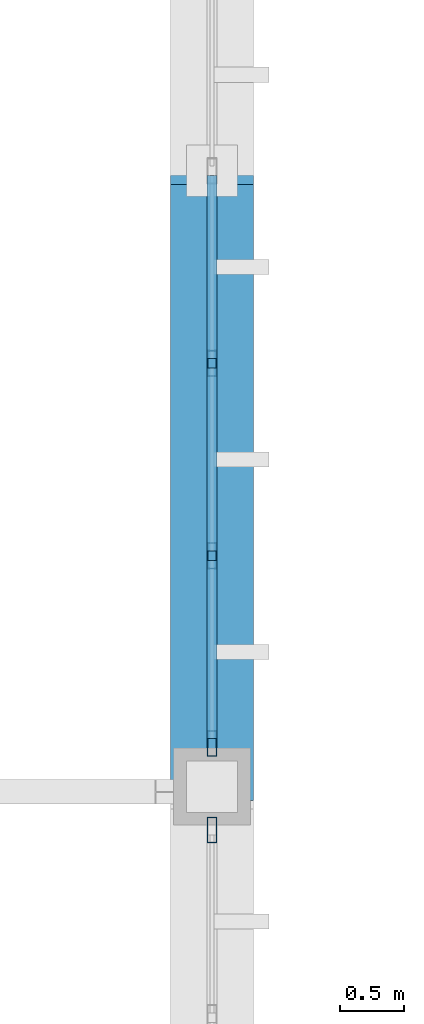
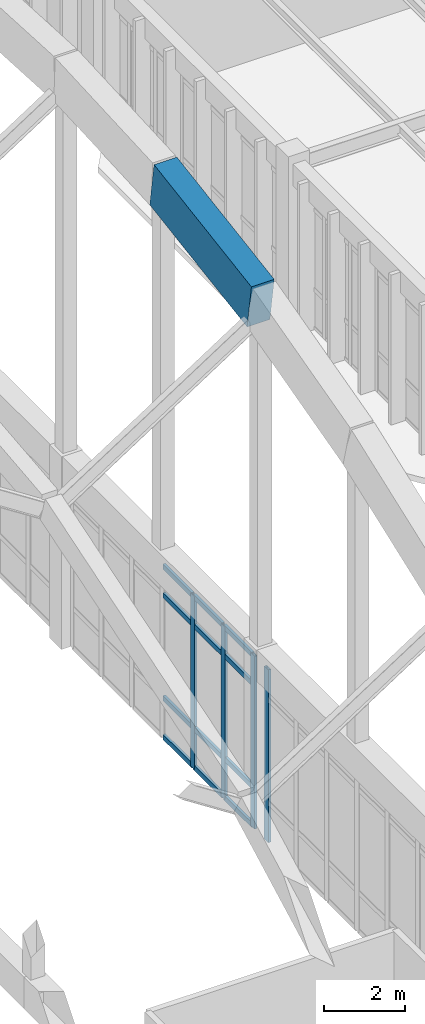
# One storey, part 136 of 236: 17 members, 2 elements without a shape of their own.
"""IFC4 building model written with IfcOpenShell, lengths in metres."""

from ifc_helpers import new_model, si_unit, direction, frame, origin, origin_2d, place, context, subcontext, project, spatial, rectangle, hollow_rectangle, extrude, material, layer, layer_set, material_profile, profile_set, type_object, element, aggregate, save


model = new_model("IFC4")

# Units and contexts
model_context = context("Model", 3, precision=1e-05, world=origin(), true_north=direction((0.0, 1.0)))
body_context = subcontext(model_context, "Body", "Model", "MODEL_VIEW")
ifc_project = project(units=[si_unit("LENGTHUNIT", "METRE"), si_unit("AREAUNIT", "SQUARE_METRE"), si_unit("VOLUMEUNIT", "CUBIC_METRE"), si_unit("PLANEANGLEUNIT", "RADIAN"), si_unit("MASSUNIT", "GRAM", prefix="KILO")], contexts=[model_context])

# Site, building, storey
site_placement = place(None, origin())
site = spatial("IfcSite", under=ifc_project, at=site_placement, CompositionType="ELEMENT")
building_placement = place(site_placement, origin())
building = spatial("IfcBuilding", under=site, at=building_placement, Name="Pandanus Reach Market Hall", CompositionType="ELEMENT")
storey_placement = place(building_placement, frame((0.0, 0.0, 5.39990234375)))
storey = spatial("IfcBuildingStorey", under=building, at=storey_placement, Name="L01", CompositionType="ELEMENT", Elevation=5.39990234375)

# Member
ifc_material_1 = material(Name="Concrete N50 (50 MPa)", Category="concrete")
ifc_material_profile_1 = material_profile(ifc_material_1, rectangle(XDim=0.64990234375, YDim=1.35009765625, at=origin_2d()), Name="RC650x1350", Category="LoadBearing")
ifc_profile_set_1 = profile_set([ifc_material_profile_1], Name="Concrete N50 (50 MPa)")
member_type_1 = type_object("IfcMemberType", Name="AR-RC650-E", PredefinedType="CHORD", material=ifc_profile_set_1)
member_1_placement = place(storey_placement, frame((132.0, 48.0, 15.9580078125), z_axis=(0.0, 0.987485724156, 0.15770841635), x_axis=(-1.0, 0.0, 0.0)))
element("IfcMember", 1, at=member_1_placement, inside=storey, type_object=member_type_1, Name="Parabolic arch top chord A8.5", PredefinedType="CHORD", context=body_context, shape_type="SweptSolid", body=[
    extrude(rectangle(XDim=0.64990234375, YDim=1.35009765625, at=origin_2d()), origin(), (0.0, 0.0, 1.0), 4.86083984375),
])

# Curtain wall, member
ifc_material_2 = material(Name="Bronze anodised aluminium and low-E glass", Category="aluminium")
ifc_layer = layer(ifc_material_2, 0.199951171875, Name="CW-05")
ifc_layer_set = layer_set([ifc_layer], Name="Bronze anodised aluminium and low-E glass")
curtain_wall_type = type_object("IfcCurtainWallType", Name="CW-05", PredefinedType="NOTDEFINED", material=ifc_layer_set)
curtain_wall_1_placement = place(storey_placement, origin())
curtain_wall_1 = element("IfcCurtainWall", 2, at=curtain_wall_1_placement, inside=storey, type_object=curtain_wall_type, Name="Glazed curtain wall CW-05 CW-0023", PredefinedType="NOTDEFINED")
ifc_material_3 = material(Name="Bronze anodised aluminium", Category="aluminium")
ifc_material_profile_2 = material_profile(ifc_material_3, hollow_rectangle(XDim=0.074951171875, YDim=0.199951171875, WallThickness=0.00439453125, at=origin_2d()), Name="ALU75x200", Category="LoadBearing")
ifc_profile_set_2 = profile_set([ifc_material_profile_2], Name="Bronze anodised aluminium")
member_type_2 = type_object("IfcMemberType", Name="CW-M2", PredefinedType="MULLION", material=ifc_profile_set_2)
member_2_placement = place(storey_placement, frame((132.0, 47.66259765625, 0.0), z_axis=(0.0, 0.0, 1.0), x_axis=(-1.0, 0.0, 0.0)))
member_2 = element("IfcMember", 3, at=member_2_placement, type_object=member_type_2, Name="CW-05 mullion 7", PredefinedType="MULLION", context=body_context, shape_type="SweptSolid", body=[
    extrude(hollow_rectangle(XDim=0.074951171875, YDim=0.199951171875, WallThickness=0.00439453125, at=origin_2d()), origin(), (0.0, 0.0, 1.0), 5.2001953125),
])
aggregate(curtain_wall_1, [member_2])

# Curtain wall, members
curtain_wall_2_placement = place(storey_placement, origin())
curtain_wall_2 = element("IfcCurtainWall", 4, at=curtain_wall_2_placement, inside=storey, type_object=curtain_wall_type, Name="Glazed curtain wall CW-05 CW-0027", PredefinedType="NOTDEFINED")
member_3_placement = place(storey_placement, frame((132.0, 48.33740234375, 0.0), z_axis=(0.0, 0.0, 1.0), x_axis=(-1.0, 0.0, 0.0)))
member_3 = element("IfcMember", 5, at=member_3_placement, type_object=member_type_2, Name="CW-05 mullion 1", PredefinedType="MULLION", context=body_context, shape_type="SweptSolid", body=[
    extrude(hollow_rectangle(XDim=0.074951171875, YDim=0.199951171875, WallThickness=0.00439453125, at=origin_2d()), origin(), (0.0, 0.0, 1.0), 5.2001953125),
])
member_4_placement = place(storey_placement, frame((132.0, 49.800048828125, 0.0), z_axis=(0.0, 0.0, 1.0), x_axis=(-1.0, 0.0, 0.0)))
member_4 = element("IfcMember", 6, at=member_4_placement, type_object=member_type_2, Name="CW-05 mullion 2", PredefinedType="MULLION", context=body_context, shape_type="SweptSolid", body=[
    extrude(hollow_rectangle(XDim=0.074951171875, YDim=0.199951171875, WallThickness=0.00439453125, at=origin_2d()), origin(), (0.0, 0.0, 1.0), 5.2001953125),
])
member_5_placement = place(storey_placement, frame((132.0, 51.300048828125, 0.0), z_axis=(0.0, 0.0, 1.0), x_axis=(-1.0, 0.0, 0.0)))
member_5 = element("IfcMember", 7, at=member_5_placement, type_object=member_type_2, Name="CW-05 mullion 3", PredefinedType="MULLION", context=body_context, shape_type="SweptSolid", body=[
    extrude(hollow_rectangle(XDim=0.074951171875, YDim=0.199951171875, WallThickness=0.00439453125, at=origin_2d()), origin(), (0.0, 0.0, 1.0), 5.2001953125),
])
ifc_material_profile_3 = material_profile(ifc_material_3, hollow_rectangle(XDim=0.074951171875, YDim=0.14990234375, WallThickness=0.00439453125, at=origin_2d()), Name="ALU75x150", Category="LoadBearing")
ifc_profile_set_3 = profile_set([ifc_material_profile_3], Name="Bronze anodised aluminium")
member_type_3 = type_object("IfcMemberType", Name="CW-T2", PredefinedType="USERDEFINED", material=ifc_profile_set_3)
member_6_placement = place(storey_placement, frame((132.0, 48.375, 0.03759765625), z_axis=(0.0, 1.0, 0.0), x_axis=(-1.0, 0.0, 0.0)))
member_6 = element("IfcMember", 8, at=member_6_placement, type_object=member_type_3, Name="CW-05 transom 1.1", ObjectType="TRANSOM", PredefinedType="USERDEFINED", context=body_context, shape_type="SweptSolid", body=[
    extrude(hollow_rectangle(XDim=0.074951171875, YDim=0.14990234375, WallThickness=0.00439453125, at=origin_2d()), origin(), (0.0, 0.0, 1.0), 1.387451171875),
])
member_7_placement = place(storey_placement, frame((132.0, 48.375, 1.2001953125), z_axis=(0.0, 1.0, 0.0), x_axis=(-1.0, 0.0, 0.0)))
member_7 = element("IfcMember", 9, at=member_7_placement, type_object=member_type_3, Name="CW-05 transom 1.2", ObjectType="TRANSOM", PredefinedType="USERDEFINED", context=body_context, shape_type="SweptSolid", body=[
    extrude(hollow_rectangle(XDim=0.074951171875, YDim=0.14990234375, WallThickness=0.00439453125, at=origin_2d()), origin(), (0.0, 0.0, 1.0), 1.387451171875),
])
member_8_placement = place(storey_placement, frame((132.0, 48.375, 4.300048828125), z_axis=(0.0, 1.0, 0.0), x_axis=(-1.0, 0.0, 0.0)))
member_8 = element("IfcMember", 10, at=member_8_placement, type_object=member_type_3, Name="CW-05 transom 1.3", ObjectType="TRANSOM", PredefinedType="USERDEFINED", context=body_context, shape_type="SweptSolid", body=[
    extrude(hollow_rectangle(XDim=0.074951171875, YDim=0.14990234375, WallThickness=0.00439453125, at=origin_2d()), origin(), (0.0, 0.0, 1.0), 1.387451171875),
])
member_9_placement = place(storey_placement, frame((132.0, 48.375, 5.16259765625), z_axis=(0.0, 1.0, 0.0), x_axis=(-1.0, 0.0, 0.0)))
member_9 = element("IfcMember", 11, at=member_9_placement, type_object=member_type_3, Name="CW-05 transom 1.4", ObjectType="TRANSOM", PredefinedType="USERDEFINED", context=body_context, shape_type="SweptSolid", body=[
    extrude(hollow_rectangle(XDim=0.074951171875, YDim=0.14990234375, WallThickness=0.00439453125, at=origin_2d()), origin(), (0.0, 0.0, 1.0), 1.387451171875),
])
member_10_placement = place(storey_placement, frame((132.0, 49.83740234375, 0.03759765625), z_axis=(0.0, 1.0, 0.0), x_axis=(-1.0, 0.0, 0.0)))
member_10 = element("IfcMember", 12, at=member_10_placement, type_object=member_type_3, Name="CW-05 transom 2.1", ObjectType="TRANSOM", PredefinedType="USERDEFINED", context=body_context, shape_type="SweptSolid", body=[
    extrude(hollow_rectangle(XDim=0.074951171875, YDim=0.14990234375, WallThickness=0.00439453125, at=origin_2d()), origin(), (0.0, 0.0, 1.0), 1.425048828125),
])
member_11_placement = place(storey_placement, frame((132.0, 49.83740234375, 1.2001953125), z_axis=(0.0, 1.0, 0.0), x_axis=(-1.0, 0.0, 0.0)))
member_11 = element("IfcMember", 13, at=member_11_placement, type_object=member_type_3, Name="CW-05 transom 2.2", ObjectType="TRANSOM", PredefinedType="USERDEFINED", context=body_context, shape_type="SweptSolid", body=[
    extrude(hollow_rectangle(XDim=0.074951171875, YDim=0.14990234375, WallThickness=0.00439453125, at=origin_2d()), origin(), (0.0, 0.0, 1.0), 1.425048828125),
])
member_12_placement = place(storey_placement, frame((132.0, 49.83740234375, 4.300048828125), z_axis=(0.0, 1.0, 0.0), x_axis=(-1.0, 0.0, 0.0)))
member_12 = element("IfcMember", 14, at=member_12_placement, type_object=member_type_3, Name="CW-05 transom 2.3", ObjectType="TRANSOM", PredefinedType="USERDEFINED", context=body_context, shape_type="SweptSolid", body=[
    extrude(hollow_rectangle(XDim=0.074951171875, YDim=0.14990234375, WallThickness=0.00439453125, at=origin_2d()), origin(), (0.0, 0.0, 1.0), 1.425048828125),
])
member_13_placement = place(storey_placement, frame((132.0, 49.83740234375, 5.16259765625), z_axis=(0.0, 1.0, 0.0), x_axis=(-1.0, 0.0, 0.0)))
member_13 = element("IfcMember", 15, at=member_13_placement, type_object=member_type_3, Name="CW-05 transom 2.4", ObjectType="TRANSOM", PredefinedType="USERDEFINED", context=body_context, shape_type="SweptSolid", body=[
    extrude(hollow_rectangle(XDim=0.074951171875, YDim=0.14990234375, WallThickness=0.00439453125, at=origin_2d()), origin(), (0.0, 0.0, 1.0), 1.425048828125),
])
member_14_placement = place(storey_placement, frame((132.0, 51.33740234375, 0.03759765625), z_axis=(0.0, 1.0, 0.0), x_axis=(-1.0, 0.0, 0.0)))
member_14 = element("IfcMember", 16, at=member_14_placement, type_object=member_type_3, Name="CW-05 transom 3.1", ObjectType="TRANSOM", PredefinedType="USERDEFINED", context=body_context, shape_type="SweptSolid", body=[
    extrude(hollow_rectangle(XDim=0.074951171875, YDim=0.14990234375, WallThickness=0.00439453125, at=origin_2d()), origin(), (0.0, 0.0, 1.0), 1.425048828125),
])
member_15_placement = place(storey_placement, frame((132.0, 51.33740234375, 1.2001953125), z_axis=(0.0, 1.0, 0.0), x_axis=(-1.0, 0.0, 0.0)))
member_15 = element("IfcMember", 17, at=member_15_placement, type_object=member_type_3, Name="CW-05 transom 3.2", ObjectType="TRANSOM", PredefinedType="USERDEFINED", context=body_context, shape_type="SweptSolid", body=[
    extrude(hollow_rectangle(XDim=0.074951171875, YDim=0.14990234375, WallThickness=0.00439453125, at=origin_2d()), origin(), (0.0, 0.0, 1.0), 1.425048828125),
])
member_16_placement = place(storey_placement, frame((132.0, 51.33740234375, 4.300048828125), z_axis=(0.0, 1.0, 0.0), x_axis=(-1.0, 0.0, 0.0)))
member_16 = element("IfcMember", 18, at=member_16_placement, type_object=member_type_3, Name="CW-05 transom 3.3", ObjectType="TRANSOM", PredefinedType="USERDEFINED", context=body_context, shape_type="SweptSolid", body=[
    extrude(hollow_rectangle(XDim=0.074951171875, YDim=0.14990234375, WallThickness=0.00439453125, at=origin_2d()), origin(), (0.0, 0.0, 1.0), 1.425048828125),
])
member_17_placement = place(storey_placement, frame((132.0, 51.33740234375, 5.16259765625), z_axis=(0.0, 1.0, 0.0), x_axis=(-1.0, 0.0, 0.0)))
member_17 = element("IfcMember", 19, at=member_17_placement, type_object=member_type_3, Name="CW-05 transom 3.4", ObjectType="TRANSOM", PredefinedType="USERDEFINED", context=body_context, shape_type="SweptSolid", body=[
    extrude(hollow_rectangle(XDim=0.074951171875, YDim=0.14990234375, WallThickness=0.00439453125, at=origin_2d()), origin(), (0.0, 0.0, 1.0), 1.425048828125),
])
aggregate(curtain_wall_2, [member_3, member_4, member_5, member_6, member_7, member_8, member_9, member_10, member_11, member_12, member_13, member_14, member_15, member_16, member_17])

save(model, "model.ifc")
